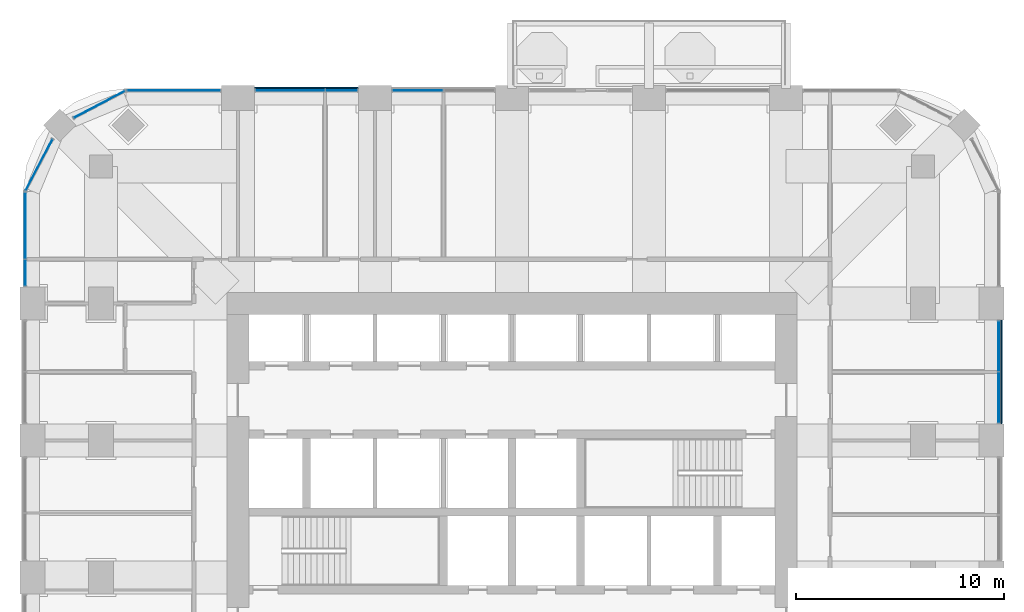
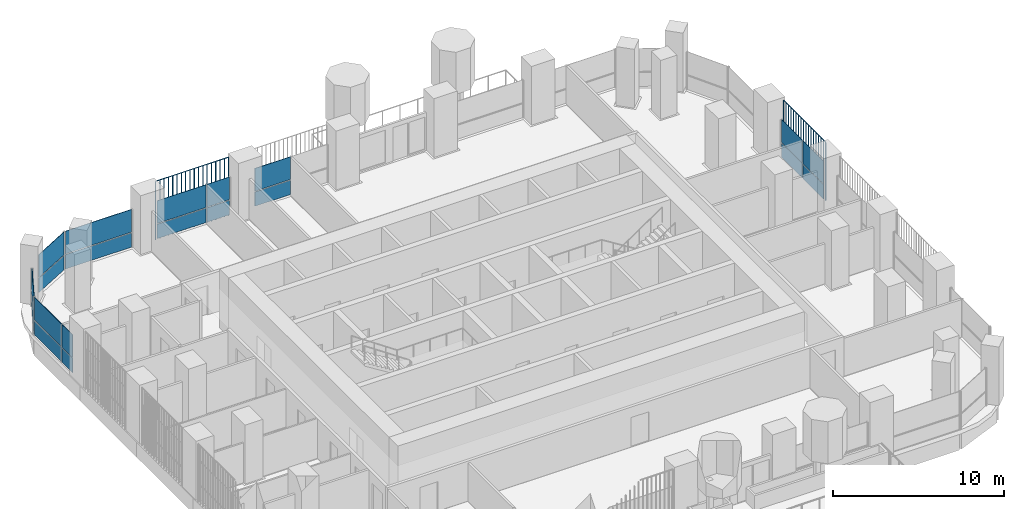
# One storey, part 11 of 19: 22 plates, 7 elements without a shape of their own.
"""IFC4 building model written with IfcOpenShell, lengths in metres."""

from ifc_helpers import new_model, si_unit, direction, frame, origin, origin_2d, place, context, subcontext, project, spatial, polyline, rectangle, outline, extrude, material, layer, layer_set, type_object, element, aggregate, save


model = new_model("IFC4")

# Units and contexts
model_context = context("Model", 3, precision=1e-05, world=origin(), true_north=direction((0.0, 1.0)))
body_context = subcontext(model_context, "Body", "Model", "MODEL_VIEW")
ifc_project = project(units=[si_unit("LENGTHUNIT", "METRE"), si_unit("AREAUNIT", "SQUARE_METRE"), si_unit("VOLUMEUNIT", "CUBIC_METRE"), si_unit("PLANEANGLEUNIT", "RADIAN"), si_unit("MASSUNIT", "GRAM", prefix="KILO")], contexts=[model_context])

# Site, building, storey
site_placement = place(None, origin())
site = spatial("IfcSite", under=ifc_project, at=site_placement, CompositionType="ELEMENT")
building_placement = place(site_placement, origin())
building = spatial("IfcBuilding", under=site, at=building_placement, Name="Cobogo Forest Laboratory Tower", CompositionType="ELEMENT")
storey_placement = place(building_placement, frame((0.0, 0.0, 206.10009765625)))
storey = spatial("IfcBuildingStorey", under=building, at=storey_placement, Name="L47", CompositionType="ELEMENT", Elevation=206.10009765625)

# Curtain wall, plates
ifc_material_1 = material(Name="Aluminium curtain wall", Category="aluminium")
curtain_wall_type = type_object("IfcCurtainWallType", Name="CW-2 unitised curtain wall, solar control glazing, laboratory floors zones C and D", PredefinedType="USERDEFINED", material=ifc_material_1)
curtain_wall_1_placement = place(storey_placement, origin())
curtain_wall_1 = element("IfcCurtainWall", 1, at=curtain_wall_1_placement, inside=storey, type_object=curtain_wall_type, Name="Curtain wall 12 L47", ObjectType="UNITISED CURTAIN WALL", PredefinedType="USERDEFINED")
ifc_material_2 = material(Name="Solar control insulated glass", Category="glass")
ifc_layer = layer(ifc_material_2, 0.031982421875)
ifc_layer_set = layer_set([ifc_layer], Name="GP-2 solar control glass unit 32")
plate_type_1 = type_object("IfcPlateType", Name="GP-2 solar control glass unit 32", PredefinedType="CURTAIN_PANEL", material=ifc_layer_set)
plate_1_placement = place(storey_placement, frame((49.85009765625, 28.465087890625, 0.0), z_axis=(0.0, 0.0, 1.0), x_axis=(0.0, 1.0, 0.0)))
plate_1 = element("IfcPlate", 2, at=plate_1_placement, type_object=plate_type_1, Name="CW-2 panel 1.1", PredefinedType="CURTAIN_PANEL", context=body_context, shape_type="SweptSolid", body=[
    extrude(rectangle(XDim=2.409912109375, YDim=0.031982421875, at=origin_2d()), origin(), (0.0, 0.0, 1.0), 1.02001953125),
])
plate_2_placement = place(storey_placement, frame((49.85009765625, 28.465087890625, 1.079833984375), z_axis=(0.0, 0.0, 1.0), x_axis=(0.0, 1.0, 0.0)))
plate_2 = element("IfcPlate", 3, at=plate_2_placement, type_object=plate_type_1, Name="CW-2 panel 1.2", PredefinedType="CURTAIN_PANEL", context=body_context, shape_type="SweptSolid", body=[
    extrude(rectangle(XDim=2.409912109375, YDim=0.031982421875, at=origin_2d()), origin(), (0.0, 0.0, 1.0), 1.6201171875),
])
plate_3_placement = place(storey_placement, frame((49.85009765625, 30.93505859375, 0.0), z_axis=(0.0, 0.0, 1.0), x_axis=(0.0, 1.0, 0.0)))
plate_3 = element("IfcPlate", 4, at=plate_3_placement, type_object=plate_type_1, Name="CW-2 panel 2.1", PredefinedType="CURTAIN_PANEL", context=body_context, shape_type="SweptSolid", body=[
    extrude(rectangle(XDim=2.409912109375, YDim=0.031982421875, at=origin_2d()), origin(), (0.0, 0.0, 1.0), 1.02001953125),
])
plate_4_placement = place(storey_placement, frame((49.85009765625, 30.93505859375, 1.079833984375), z_axis=(0.0, 0.0, 1.0), x_axis=(0.0, 1.0, 0.0)))
plate_4 = element("IfcPlate", 5, at=plate_4_placement, type_object=plate_type_1, Name="CW-2 panel 2.2", PredefinedType="CURTAIN_PANEL", context=body_context, shape_type="SweptSolid", body=[
    extrude(rectangle(XDim=2.409912109375, YDim=0.031982421875, at=origin_2d()), origin(), (0.0, 0.0, 1.0), 1.6201171875),
])
aggregate(curtain_wall_1, [plate_1, plate_2, plate_3, plate_4])

curtain_wall_2_placement = place(storey_placement, origin())
curtain_wall_2 = element("IfcCurtainWall", 6, at=curtain_wall_2_placement, inside=storey, type_object=curtain_wall_type, Name="Curtain wall 19 L47", ObjectType="UNITISED CURTAIN WALL", PredefinedType="USERDEFINED")
plate_5_placement = place(storey_placement, frame((21.864990234375, 43.25, 0.0), z_axis=(0.0, 0.0, 1.0), x_axis=(-1.0, 0.0, 0.0)))
plate_5 = element("IfcPlate", 7, at=plate_5_placement, type_object=plate_type_1, Name="CW-2 panel 2.1", PredefinedType="CURTAIN_PANEL", context=body_context, shape_type="SweptSolid", body=[
    extrude(rectangle(XDim=2.409912109375, YDim=0.031982421875, at=origin_2d()), origin(), (0.0, 0.0, 1.0), 1.02001953125),
])
plate_6_placement = place(storey_placement, frame((21.864990234375, 43.25, 1.079833984375), z_axis=(0.0, 0.0, 1.0), x_axis=(-1.0, 0.0, 0.0)))
plate_6 = element("IfcPlate", 8, at=plate_6_placement, type_object=plate_type_1, Name="CW-2 panel 2.2", PredefinedType="CURTAIN_PANEL", context=body_context, shape_type="SweptSolid", body=[
    extrude(rectangle(XDim=2.409912109375, YDim=0.031982421875, at=origin_2d()), origin(), (0.0, 0.0, 1.0), 1.6201171875),
])
aggregate(curtain_wall_2, [plate_5, plate_6])

curtain_wall_3_placement = place(storey_placement, origin())
curtain_wall_3 = element("IfcCurtainWall", 9, at=curtain_wall_3_placement, inside=storey, type_object=curtain_wall_type, Name="Curtain wall 20 L47", ObjectType="UNITISED CURTAIN WALL", PredefinedType="USERDEFINED")
plate_7_placement = place(storey_placement, frame((18.18505859375, 43.25, 0.0), z_axis=(0.0, 0.0, 1.0), x_axis=(-1.0, 0.0, 0.0)))
plate_7 = element("IfcPlate", 10, at=plate_7_placement, type_object=plate_type_1, Name="CW-2 panel 1.1", PredefinedType="CURTAIN_PANEL", context=body_context, shape_type="SweptSolid", body=[
    extrude(rectangle(XDim=1.510009765625, YDim=0.031982421875, at=origin_2d()), origin(), (0.0, 0.0, 1.0), 1.02001953125),
])
plate_8_placement = place(storey_placement, frame((18.18505859375, 43.25, 1.079833984375), z_axis=(0.0, 0.0, 1.0), x_axis=(-1.0, 0.0, 0.0)))
plate_8 = element("IfcPlate", 11, at=plate_8_placement, type_object=plate_type_1, Name="CW-2 panel 1.2", PredefinedType="CURTAIN_PANEL", context=body_context, shape_type="SweptSolid", body=[
    extrude(rectangle(XDim=1.510009765625, YDim=0.031982421875, at=origin_2d()), origin(), (0.0, 0.0, 1.0), 1.6201171875),
])
plate_9_placement = place(storey_placement, frame((15.715087890625, 43.25, 0.0), z_axis=(0.0, 0.0, 1.0), x_axis=(-1.0, 0.0, 0.0)))
plate_9 = element("IfcPlate", 12, at=plate_9_placement, type_object=plate_type_1, Name="CW-2 panel 2.1", PredefinedType="CURTAIN_PANEL", context=body_context, shape_type="SweptSolid", body=[
    extrude(rectangle(XDim=3.31005859375, YDim=0.031982421875, at=origin_2d()), origin(), (0.0, 0.0, 1.0), 1.02001953125),
])
plate_10_placement = place(storey_placement, frame((15.715087890625, 43.25, 1.079833984375), z_axis=(0.0, 0.0, 1.0), x_axis=(-1.0, 0.0, 0.0)))
plate_10 = element("IfcPlate", 13, at=plate_10_placement, type_object=plate_type_1, Name="CW-2 panel 2.2", PredefinedType="CURTAIN_PANEL", context=body_context, shape_type="SweptSolid", body=[
    extrude(rectangle(XDim=3.31005859375, YDim=0.031982421875, at=origin_2d()), origin(), (0.0, 0.0, 1.0), 1.6201171875),
])
aggregate(curtain_wall_3, [plate_7, plate_8, plate_9, plate_10])

curtain_wall_4_placement = place(storey_placement, origin())
curtain_wall_4 = element("IfcCurtainWall", 14, at=curtain_wall_4_placement, inside=storey, type_object=curtain_wall_type, Name="Curtain wall 21 L47", ObjectType="UNITISED CURTAIN WALL", PredefinedType="USERDEFINED")
plate_11_placement = place(storey_placement, frame((10.10009765625, 43.25, 0.0), z_axis=(0.0, 0.0, 1.0), x_axis=(-1.0, 0.0, 0.0)))
plate_11 = element("IfcPlate", 15, at=plate_11_placement, type_object=plate_type_1, Name="CW-2 panel 1.1", PredefinedType="CURTAIN_PANEL", context=body_context, shape_type="SweptSolid", body=[
    extrude(rectangle(XDim=4.47998046875, YDim=0.031982421875, at=origin_2d()), origin(), (0.0, 0.0, 1.0), 1.02001953125),
])
plate_12_placement = place(storey_placement, frame((10.10009765625, 43.25, 1.079833984375), z_axis=(0.0, 0.0, 1.0), x_axis=(-1.0, 0.0, 0.0)))
plate_12 = element("IfcPlate", 16, at=plate_12_placement, type_object=plate_type_1, Name="CW-2 panel 1.2", PredefinedType="CURTAIN_PANEL", context=body_context, shape_type="SweptSolid", body=[
    extrude(rectangle(XDim=4.47998046875, YDim=0.031982421875, at=origin_2d()), origin(), (0.0, 0.0, 1.0), 1.6201171875),
])
aggregate(curtain_wall_4, [plate_11, plate_12])

curtain_wall_5_placement = place(storey_placement, origin())
curtain_wall_5 = element("IfcCurtainWall", 17, at=curtain_wall_5_placement, inside=storey, type_object=curtain_wall_type, Name="Curtain wall 22 L47", ObjectType="UNITISED CURTAIN WALL", PredefinedType="USERDEFINED")
plate_13_placement = place(storey_placement, frame((6.5244140625, 42.581298828125, 0.0), z_axis=(0.0, 0.0, 1.0), x_axis=(-0.885686484356, -0.464283804832, 0.0)))
plate_13 = element("IfcPlate", 18, at=plate_13_placement, type_object=plate_type_1, Name="CW-2 panel 1.1", PredefinedType="CURTAIN_PANEL", context=body_context, shape_type="SweptSolid", body=[
    extrude(rectangle(XDim=2.76025390625, YDim=0.031982421875, at=origin_2d()), origin(), (0.0, 0.0, 1.0), 1.02001953125),
])
plate_14_placement = place(storey_placement, frame((6.5244140625, 42.581298828125, 1.079833984375), z_axis=(0.0, 0.0, 1.0), x_axis=(-0.885686484356, -0.464283804832, 0.0)))
plate_14 = element("IfcPlate", 19, at=plate_14_placement, type_object=plate_type_1, Name="CW-2 panel 1.2", PredefinedType="CURTAIN_PANEL", context=body_context, shape_type="SweptSolid", body=[
    extrude(rectangle(XDim=2.76025390625, YDim=0.031982421875, at=origin_2d()), origin(), (0.0, 0.0, 1.0), 1.6201171875),
])
aggregate(curtain_wall_5, [plate_13, plate_14])

curtain_wall_6_placement = place(storey_placement, origin())
curtain_wall_6 = element("IfcCurtainWall", 20, at=curtain_wall_6_placement, inside=storey, type_object=curtain_wall_type, Name="Curtain wall 23 L47", ObjectType="UNITISED CURTAIN WALL", PredefinedType="USERDEFINED")
plate_15_placement = place(storey_placement, frame((3.61865234375, 39.675537109375, 0.0), z_axis=(0.0, 0.0, 1.0), x_axis=(-0.464283804832, -0.885686484356, 0.0)))
plate_15 = element("IfcPlate", 21, at=plate_15_placement, type_object=plate_type_1, Name="CW-2 panel 1.1", PredefinedType="CURTAIN_PANEL", context=body_context, shape_type="SweptSolid", body=[
    extrude(rectangle(XDim=2.76025390625, YDim=0.031982421875, at=origin_2d()), origin(), (0.0, 0.0, 1.0), 1.02001953125),
])
plate_16_placement = place(storey_placement, frame((3.61865234375, 39.675537109375, 1.079833984375), z_axis=(0.0, 0.0, 1.0), x_axis=(-0.464283804832, -0.885686484356, 0.0)))
plate_16 = element("IfcPlate", 22, at=plate_16_placement, type_object=plate_type_1, Name="CW-2 panel 1.2", PredefinedType="CURTAIN_PANEL", context=body_context, shape_type="SweptSolid", body=[
    extrude(rectangle(XDim=2.76025390625, YDim=0.031982421875, at=origin_2d()), origin(), (0.0, 0.0, 1.0), 1.6201171875),
])
aggregate(curtain_wall_6, [plate_15, plate_16])

curtain_wall_7_placement = place(storey_placement, origin())
curtain_wall_7 = element("IfcCurtainWall", 23, at=curtain_wall_7_placement, inside=storey, type_object=curtain_wall_type, Name="Curtain wall 24 L47", ObjectType="UNITISED CURTAIN WALL", PredefinedType="USERDEFINED")
plate_17_placement = place(storey_placement, frame((2.949951171875, 36.74755859375, 0.0), z_axis=(0.0, 0.0, 1.0), x_axis=(0.0, -1.0, 0.0)))
plate_17 = element("IfcPlate", 24, at=plate_17_placement, type_object=plate_type_1, Name="CW-2 panel 1.1", PredefinedType="CURTAIN_PANEL", context=body_context, shape_type="SweptSolid", body=[
    extrude(rectangle(XDim=3.18505859375, YDim=0.031982421875, at=origin_2d()), origin(), (0.0, 0.0, 1.0), 1.02001953125),
])
plate_18_placement = place(storey_placement, frame((2.949951171875, 36.74755859375, 1.079833984375), z_axis=(0.0, 0.0, 1.0), x_axis=(0.0, -1.0, 0.0)))
plate_18 = element("IfcPlate", 25, at=plate_18_placement, type_object=plate_type_1, Name="CW-2 panel 1.2", PredefinedType="CURTAIN_PANEL", context=body_context, shape_type="SweptSolid", body=[
    extrude(rectangle(XDim=3.18505859375, YDim=0.031982421875, at=origin_2d()), origin(), (0.0, 0.0, 1.0), 1.6201171875),
])
plate_19_placement = place(storey_placement, frame((2.949951171875, 34.4775390625, 0.0), z_axis=(0.0, 0.0, 1.0), x_axis=(0.0, -1.0, 0.0)))
plate_19 = element("IfcPlate", 26, at=plate_19_placement, type_object=plate_type_1, Name="CW-2 panel 2.1", PredefinedType="CURTAIN_PANEL", context=body_context, shape_type="SweptSolid", body=[
    extrude(rectangle(XDim=1.235107421875, YDim=0.031982421875, at=origin_2d()), origin(), (0.0, 0.0, 1.0), 1.02001953125),
])
plate_20_placement = place(storey_placement, frame((2.949951171875, 34.4775390625, 1.079833984375), z_axis=(0.0, 0.0, 1.0), x_axis=(0.0, -1.0, 0.0)))
plate_20 = element("IfcPlate", 27, at=plate_20_placement, type_object=plate_type_1, Name="CW-2 panel 2.2", PredefinedType="CURTAIN_PANEL", context=body_context, shape_type="SweptSolid", body=[
    extrude(rectangle(XDim=1.235107421875, YDim=0.031982421875, at=origin_2d()), origin(), (0.0, 0.0, 1.0), 1.6201171875),
])
aggregate(curtain_wall_7, [plate_17, plate_18, plate_19, plate_20])

# Plates
ifc_material_3 = material(Name="Terracotta", Category="masonry")
plate_type_2 = type_object("IfcPlateType", Name="TB1 terracotta baguette screen", PredefinedType="USERDEFINED", material=ifc_material_3)
plate_21_placement = place(storey_placement, frame((49.977783203125, 27.231201171875, -0.150146484375)))
element("IfcPlate", 28, at=plate_21_placement, inside=storey, type_object=plate_type_2, Name="Baguette screen E3 L47", ObjectType="BAGUETTE SCREEN", PredefinedType="USERDEFINED", context=body_context, shape_type="SweptSolid", body=[
    extrude(outline(polyline([(0.02880859375, 0.011962890625), (0.011962890625, 0.02880859375), (-0.011962890625, 0.02880859375), (-0.02880859375, 0.011962890625), (-0.02880859375, -0.011962890625), (-0.011962890625, -0.02880859375), (0.011962890625, -0.02880859375), (0.02880859375, -0.011962890625), (0.02880859375, 0.011962890625)])), frame((0.0, 0.0, 4.168701171875), z_axis=(0.0, 1.0, 0.0), x_axis=(-1.0, 0.0, 0.0)), (0.0, 0.0, 1.0), 4.9375),
    extrude(outline(polyline([(0.02880859375, 0.011962890625), (0.011962890625, 0.02880859375), (-0.011962890625, 0.02880859375), (-0.02880859375, 0.011962890625), (-0.02880859375, -0.011962890625), (-0.011962890625, -0.02880859375), (0.011962890625, -0.02880859375), (0.02880859375, -0.011962890625), (0.02880859375, 0.011962890625)])), origin(), (0.0, 0.0, 1.0), 4.137451171875),
    extrude(outline(polyline([(0.02880859375, 0.011962890625), (0.011962890625, 0.02880859375), (-0.011962890625, 0.02880859375), (-0.02880859375, 0.011962890625), (-0.02880859375, -0.011962890625), (-0.011962890625, -0.02880859375), (0.011962890625, -0.02880859375), (0.02880859375, -0.011962890625), (0.02880859375, 0.011962890625)])), frame((0.0, 0.29052734375, 0.0)), (0.0, 0.0, 1.0), 4.137451171875),
    extrude(outline(polyline([(0.02880859375, 0.011962890625), (0.011962890625, 0.02880859375), (-0.011962890625, 0.02880859375), (-0.02880859375, 0.011962890625), (-0.02880859375, -0.011962890625), (-0.011962890625, -0.02880859375), (0.011962890625, -0.02880859375), (0.02880859375, -0.011962890625), (0.02880859375, 0.011962890625)])), frame((0.0, 0.580810546875, 0.0)), (0.0, 0.0, 1.0), 4.137451171875),
    extrude(outline(polyline([(0.02880859375, 0.011962890625), (0.011962890625, 0.02880859375), (-0.011962890625, 0.02880859375), (-0.02880859375, 0.011962890625), (-0.02880859375, -0.011962890625), (-0.011962890625, -0.02880859375), (0.011962890625, -0.02880859375), (0.02880859375, -0.011962890625), (0.02880859375, 0.011962890625)])), frame((0.0, 0.871337890625, 0.0)), (0.0, 0.0, 1.0), 4.137451171875),
    extrude(outline(polyline([(0.02880859375, 0.011962890625), (0.011962890625, 0.02880859375), (-0.011962890625, 0.02880859375), (-0.02880859375, 0.011962890625), (-0.02880859375, -0.011962890625), (-0.011962890625, -0.02880859375), (0.011962890625, -0.02880859375), (0.02880859375, -0.011962890625), (0.02880859375, 0.011962890625)])), frame((0.0, 1.161865234375, 0.0)), (0.0, 0.0, 1.0), 4.137451171875),
    extrude(outline(polyline([(0.02880859375, 0.011962890625), (0.011962890625, 0.02880859375), (-0.011962890625, 0.02880859375), (-0.02880859375, 0.011962890625), (-0.02880859375, -0.011962890625), (-0.011962890625, -0.02880859375), (0.011962890625, -0.02880859375), (0.02880859375, -0.011962890625), (0.02880859375, 0.011962890625)])), frame((0.0, 1.4521484375, 0.0)), (0.0, 0.0, 1.0), 4.137451171875),
    extrude(outline(polyline([(0.02880859375, 0.011962890625), (0.011962890625, 0.02880859375), (-0.011962890625, 0.02880859375), (-0.02880859375, 0.011962890625), (-0.02880859375, -0.011962890625), (-0.011962890625, -0.02880859375), (0.011962890625, -0.02880859375), (0.02880859375, -0.011962890625), (0.02880859375, 0.011962890625)])), frame((0.0, 1.74267578125, 0.0)), (0.0, 0.0, 1.0), 4.137451171875),
    extrude(outline(polyline([(0.02880859375, 0.011962890625), (0.011962890625, 0.02880859375), (-0.011962890625, 0.02880859375), (-0.02880859375, 0.011962890625), (-0.02880859375, -0.011962890625), (-0.011962890625, -0.02880859375), (0.011962890625, -0.02880859375), (0.02880859375, -0.011962890625), (0.02880859375, 0.011962890625)])), frame((0.0, 2.033203125, 0.0)), (0.0, 0.0, 1.0), 4.137451171875),
    extrude(outline(polyline([(0.02880859375, 0.011962890625), (0.011962890625, 0.02880859375), (-0.011962890625, 0.02880859375), (-0.02880859375, 0.011962890625), (-0.02880859375, -0.011962890625), (-0.011962890625, -0.02880859375), (0.011962890625, -0.02880859375), (0.02880859375, -0.011962890625), (0.02880859375, 0.011962890625)])), frame((0.0, 2.323486328125, 0.0)), (0.0, 0.0, 1.0), 4.137451171875),
    extrude(outline(polyline([(0.02880859375, 0.011962890625), (0.011962890625, 0.02880859375), (-0.011962890625, 0.02880859375), (-0.02880859375, 0.011962890625), (-0.02880859375, -0.011962890625), (-0.011962890625, -0.02880859375), (0.011962890625, -0.02880859375), (0.02880859375, -0.011962890625), (0.02880859375, 0.011962890625)])), frame((0.0, 2.614013671875, 0.0)), (0.0, 0.0, 1.0), 4.137451171875),
    extrude(outline(polyline([(0.02880859375, 0.011962890625), (0.011962890625, 0.02880859375), (-0.011962890625, 0.02880859375), (-0.02880859375, 0.011962890625), (-0.02880859375, -0.011962890625), (-0.011962890625, -0.02880859375), (0.011962890625, -0.02880859375), (0.02880859375, -0.011962890625), (0.02880859375, 0.011962890625)])), frame((0.0, 2.904296875, 0.0)), (0.0, 0.0, 1.0), 4.137451171875),
    extrude(outline(polyline([(0.02880859375, 0.011962890625), (0.011962890625, 0.02880859375), (-0.011962890625, 0.02880859375), (-0.02880859375, 0.011962890625), (-0.02880859375, -0.011962890625), (-0.011962890625, -0.02880859375), (0.011962890625, -0.02880859375), (0.02880859375, -0.011962890625), (0.02880859375, 0.011962890625)])), frame((0.0, 3.19482421875, 0.0)), (0.0, 0.0, 1.0), 4.137451171875),
    extrude(outline(polyline([(0.02880859375, 0.011962890625), (0.011962890625, 0.02880859375), (-0.011962890625, 0.02880859375), (-0.02880859375, 0.011962890625), (-0.02880859375, -0.011962890625), (-0.011962890625, -0.02880859375), (0.011962890625, -0.02880859375), (0.02880859375, -0.011962890625), (0.02880859375, 0.011962890625)])), frame((0.0, 3.4853515625, 0.0)), (0.0, 0.0, 1.0), 4.137451171875),
    extrude(outline(polyline([(0.02880859375, 0.011962890625), (0.011962890625, 0.02880859375), (-0.011962890625, 0.02880859375), (-0.02880859375, 0.011962890625), (-0.02880859375, -0.011962890625), (-0.011962890625, -0.02880859375), (0.011962890625, -0.02880859375), (0.02880859375, -0.011962890625), (0.02880859375, 0.011962890625)])), frame((0.0, 3.775634765625, 0.0)), (0.0, 0.0, 1.0), 4.137451171875),
    extrude(outline(polyline([(0.02880859375, 0.011962890625), (0.011962890625, 0.02880859375), (-0.011962890625, 0.02880859375), (-0.02880859375, 0.011962890625), (-0.02880859375, -0.011962890625), (-0.011962890625, -0.02880859375), (0.011962890625, -0.02880859375), (0.02880859375, -0.011962890625), (0.02880859375, 0.011962890625)])), frame((0.0, 4.066162109375, 0.0)), (0.0, 0.0, 1.0), 4.137451171875),
    extrude(outline(polyline([(0.02880859375, 0.011962890625), (0.011962890625, 0.02880859375), (-0.011962890625, 0.02880859375), (-0.02880859375, 0.011962890625), (-0.02880859375, -0.011962890625), (-0.011962890625, -0.02880859375), (0.011962890625, -0.02880859375), (0.02880859375, -0.011962890625), (0.02880859375, 0.011962890625)])), frame((0.0, 4.356689453125, 0.0)), (0.0, 0.0, 1.0), 4.137451171875),
    extrude(outline(polyline([(0.02880859375, 0.011962890625), (0.011962890625, 0.02880859375), (-0.011962890625, 0.02880859375), (-0.02880859375, 0.011962890625), (-0.02880859375, -0.011962890625), (-0.011962890625, -0.02880859375), (0.011962890625, -0.02880859375), (0.02880859375, -0.011962890625), (0.02880859375, 0.011962890625)])), frame((0.0, 4.64697265625, 0.0)), (0.0, 0.0, 1.0), 4.137451171875),
    extrude(outline(polyline([(0.02880859375, 0.011962890625), (0.011962890625, 0.02880859375), (-0.011962890625, 0.02880859375), (-0.02880859375, 0.011962890625), (-0.02880859375, -0.011962890625), (-0.011962890625, -0.02880859375), (0.011962890625, -0.02880859375), (0.02880859375, -0.011962890625), (0.02880859375, 0.011962890625)])), frame((0.0, 4.9375, 0.0)), (0.0, 0.0, 1.0), 4.137451171875),
])
plate_22_placement = place(storey_placement, frame((14.03125, 43.3779296875, -0.150146484375)))
element("IfcPlate", 29, at=plate_22_placement, inside=storey, type_object=plate_type_2, Name="Baguette screen N1 L47", ObjectType="BAGUETTE SCREEN", PredefinedType="USERDEFINED", context=body_context, shape_type="SweptSolid", body=[
    extrude(outline(polyline([(0.02880859375, 0.011962890625), (0.011962890625, 0.02880859375), (-0.011962890625, 0.02880859375), (-0.02880859375, 0.011962890625), (-0.02880859375, -0.011962890625), (-0.011962890625, -0.02880859375), (0.011962890625, -0.02880859375), (0.02880859375, -0.011962890625), (0.02880859375, 0.011962890625)])), frame((0.0, 0.0, 4.168701171875), z_axis=(1.0, 0.0, 0.0), x_axis=(0.0, 1.0, 0.0)), (0.0, 0.0, 1.0), 4.9375),
    extrude(outline(polyline([(0.02880859375, 0.011962890625), (0.011962890625, 0.02880859375), (-0.011962890625, 0.02880859375), (-0.02880859375, 0.011962890625), (-0.02880859375, -0.011962890625), (-0.011962890625, -0.02880859375), (0.011962890625, -0.02880859375), (0.02880859375, -0.011962890625), (0.02880859375, 0.011962890625)])), origin(), (0.0, 0.0, 1.0), 4.137451171875),
    extrude(outline(polyline([(0.02880859375, 0.011962890625), (0.011962890625, 0.02880859375), (-0.011962890625, 0.02880859375), (-0.02880859375, 0.011962890625), (-0.02880859375, -0.011962890625), (-0.011962890625, -0.02880859375), (0.011962890625, -0.02880859375), (0.02880859375, -0.011962890625), (0.02880859375, 0.011962890625)])), frame((0.29052734375, 0.0, 0.0)), (0.0, 0.0, 1.0), 4.137451171875),
    extrude(outline(polyline([(0.02880859375, 0.011962890625), (0.011962890625, 0.02880859375), (-0.011962890625, 0.02880859375), (-0.02880859375, 0.011962890625), (-0.02880859375, -0.011962890625), (-0.011962890625, -0.02880859375), (0.011962890625, -0.02880859375), (0.02880859375, -0.011962890625), (0.02880859375, 0.011962890625)])), frame((0.580810546875, 0.0, 0.0)), (0.0, 0.0, 1.0), 4.137451171875),
    extrude(outline(polyline([(0.02880859375, 0.011962890625), (0.011962890625, 0.02880859375), (-0.011962890625, 0.02880859375), (-0.02880859375, 0.011962890625), (-0.02880859375, -0.011962890625), (-0.011962890625, -0.02880859375), (0.011962890625, -0.02880859375), (0.02880859375, -0.011962890625), (0.02880859375, 0.011962890625)])), frame((0.871337890625, 0.0, 0.0)), (0.0, 0.0, 1.0), 4.137451171875),
    extrude(outline(polyline([(0.02880859375, 0.011962890625), (0.011962890625, 0.02880859375), (-0.011962890625, 0.02880859375), (-0.02880859375, 0.011962890625), (-0.02880859375, -0.011962890625), (-0.011962890625, -0.02880859375), (0.011962890625, -0.02880859375), (0.02880859375, -0.011962890625), (0.02880859375, 0.011962890625)])), frame((1.161865234375, 0.0, 0.0)), (0.0, 0.0, 1.0), 4.137451171875),
    extrude(outline(polyline([(0.02880859375, 0.011962890625), (0.011962890625, 0.02880859375), (-0.011962890625, 0.02880859375), (-0.02880859375, 0.011962890625), (-0.02880859375, -0.011962890625), (-0.011962890625, -0.02880859375), (0.011962890625, -0.02880859375), (0.02880859375, -0.011962890625), (0.02880859375, 0.011962890625)])), frame((1.4521484375, 0.0, 0.0)), (0.0, 0.0, 1.0), 4.137451171875),
    extrude(outline(polyline([(0.02880859375, 0.011962890625), (0.011962890625, 0.02880859375), (-0.011962890625, 0.02880859375), (-0.02880859375, 0.011962890625), (-0.02880859375, -0.011962890625), (-0.011962890625, -0.02880859375), (0.011962890625, -0.02880859375), (0.02880859375, -0.011962890625), (0.02880859375, 0.011962890625)])), frame((1.74267578125, 0.0, 0.0)), (0.0, 0.0, 1.0), 4.137451171875),
    extrude(outline(polyline([(0.02880859375, 0.011962890625), (0.011962890625, 0.02880859375), (-0.011962890625, 0.02880859375), (-0.02880859375, 0.011962890625), (-0.02880859375, -0.011962890625), (-0.011962890625, -0.02880859375), (0.011962890625, -0.02880859375), (0.02880859375, -0.011962890625), (0.02880859375, 0.011962890625)])), frame((2.033203125, 0.0, 0.0)), (0.0, 0.0, 1.0), 4.137451171875),
    extrude(outline(polyline([(0.02880859375, 0.011962890625), (0.011962890625, 0.02880859375), (-0.011962890625, 0.02880859375), (-0.02880859375, 0.011962890625), (-0.02880859375, -0.011962890625), (-0.011962890625, -0.02880859375), (0.011962890625, -0.02880859375), (0.02880859375, -0.011962890625), (0.02880859375, 0.011962890625)])), frame((2.323486328125, 0.0, 0.0)), (0.0, 0.0, 1.0), 4.137451171875),
    extrude(outline(polyline([(0.02880859375, 0.011962890625), (0.011962890625, 0.02880859375), (-0.011962890625, 0.02880859375), (-0.02880859375, 0.011962890625), (-0.02880859375, -0.011962890625), (-0.011962890625, -0.02880859375), (0.011962890625, -0.02880859375), (0.02880859375, -0.011962890625), (0.02880859375, 0.011962890625)])), frame((2.614013671875, 0.0, 0.0)), (0.0, 0.0, 1.0), 4.137451171875),
    extrude(outline(polyline([(0.02880859375, 0.011962890625), (0.011962890625, 0.02880859375), (-0.011962890625, 0.02880859375), (-0.02880859375, 0.011962890625), (-0.02880859375, -0.011962890625), (-0.011962890625, -0.02880859375), (0.011962890625, -0.02880859375), (0.02880859375, -0.011962890625), (0.02880859375, 0.011962890625)])), frame((2.904296875, 0.0, 0.0)), (0.0, 0.0, 1.0), 4.137451171875),
    extrude(outline(polyline([(0.02880859375, 0.011962890625), (0.011962890625, 0.02880859375), (-0.011962890625, 0.02880859375), (-0.02880859375, 0.011962890625), (-0.02880859375, -0.011962890625), (-0.011962890625, -0.02880859375), (0.011962890625, -0.02880859375), (0.02880859375, -0.011962890625), (0.02880859375, 0.011962890625)])), frame((3.19482421875, 0.0, 0.0)), (0.0, 0.0, 1.0), 4.137451171875),
    extrude(outline(polyline([(0.02880859375, 0.011962890625), (0.011962890625, 0.02880859375), (-0.011962890625, 0.02880859375), (-0.02880859375, 0.011962890625), (-0.02880859375, -0.011962890625), (-0.011962890625, -0.02880859375), (0.011962890625, -0.02880859375), (0.02880859375, -0.011962890625), (0.02880859375, 0.011962890625)])), frame((3.4853515625, 0.0, 0.0)), (0.0, 0.0, 1.0), 4.137451171875),
    extrude(outline(polyline([(0.02880859375, 0.011962890625), (0.011962890625, 0.02880859375), (-0.011962890625, 0.02880859375), (-0.02880859375, 0.011962890625), (-0.02880859375, -0.011962890625), (-0.011962890625, -0.02880859375), (0.011962890625, -0.02880859375), (0.02880859375, -0.011962890625), (0.02880859375, 0.011962890625)])), frame((3.775634765625, 0.0, 0.0)), (0.0, 0.0, 1.0), 4.137451171875),
    extrude(outline(polyline([(0.02880859375, 0.011962890625), (0.011962890625, 0.02880859375), (-0.011962890625, 0.02880859375), (-0.02880859375, 0.011962890625), (-0.02880859375, -0.011962890625), (-0.011962890625, -0.02880859375), (0.011962890625, -0.02880859375), (0.02880859375, -0.011962890625), (0.02880859375, 0.011962890625)])), frame((4.066162109375, 0.0, 0.0)), (0.0, 0.0, 1.0), 4.137451171875),
    extrude(outline(polyline([(0.02880859375, 0.011962890625), (0.011962890625, 0.02880859375), (-0.011962890625, 0.02880859375), (-0.02880859375, 0.011962890625), (-0.02880859375, -0.011962890625), (-0.011962890625, -0.02880859375), (0.011962890625, -0.02880859375), (0.02880859375, -0.011962890625), (0.02880859375, 0.011962890625)])), frame((4.356689453125, 0.0, 0.0)), (0.0, 0.0, 1.0), 4.137451171875),
    extrude(outline(polyline([(0.02880859375, 0.011962890625), (0.011962890625, 0.02880859375), (-0.011962890625, 0.02880859375), (-0.02880859375, 0.011962890625), (-0.02880859375, -0.011962890625), (-0.011962890625, -0.02880859375), (0.011962890625, -0.02880859375), (0.02880859375, -0.011962890625), (0.02880859375, 0.011962890625)])), frame((4.64697265625, 0.0, 0.0)), (0.0, 0.0, 1.0), 4.137451171875),
    extrude(outline(polyline([(0.02880859375, 0.011962890625), (0.011962890625, 0.02880859375), (-0.011962890625, 0.02880859375), (-0.02880859375, 0.011962890625), (-0.02880859375, -0.011962890625), (-0.011962890625, -0.02880859375), (0.011962890625, -0.02880859375), (0.02880859375, -0.011962890625), (0.02880859375, 0.011962890625)])), frame((4.9375, 0.0, 0.0)), (0.0, 0.0, 1.0), 4.137451171875),
])

save(model, "model.ifc")
